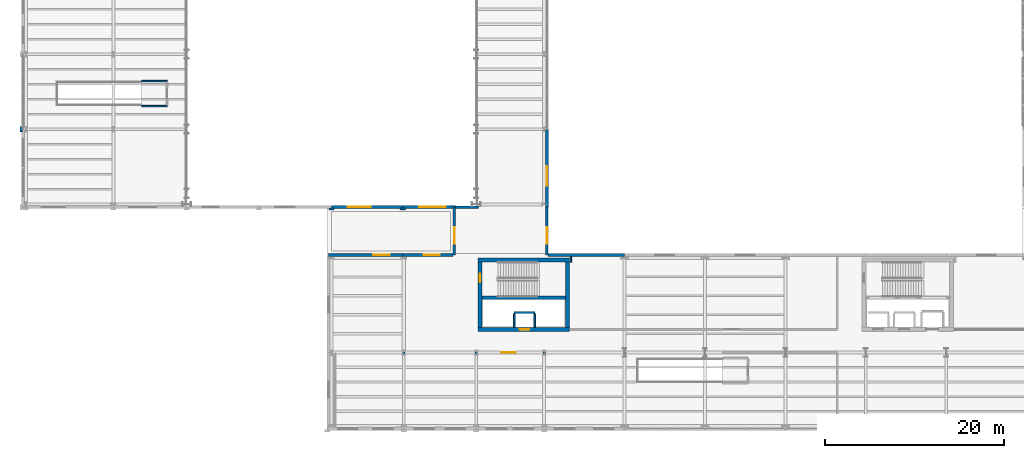
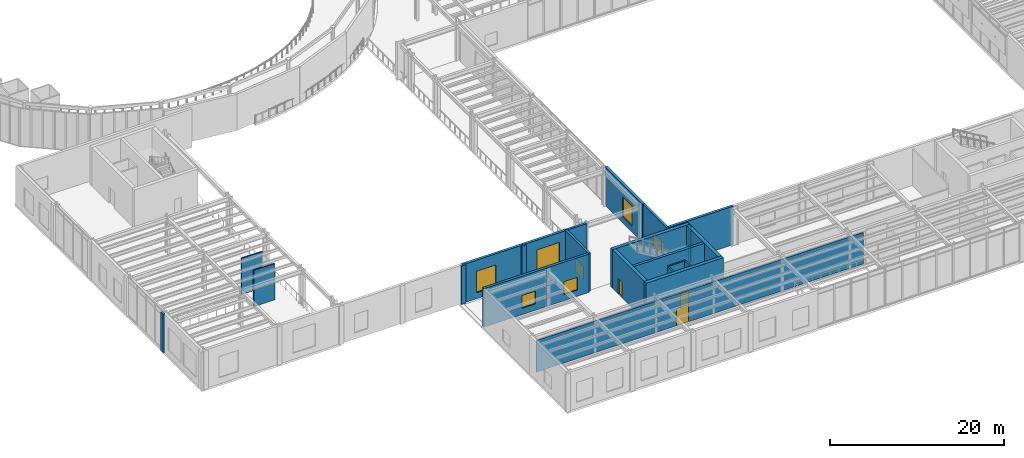
# One storey, part 74 of 98: 24 walls, 7 windows, 3 doors, 10 openings.
"""IFC4 building model written with IfcOpenShell, lengths in metres."""

from ifc_helpers import new_model, si_unit, direction, frame, frame_2d, origin, place, context, subcontext, project, spatial, rectangle, extrude, material, layer, layer_set, type_object, element, fill, save


model = new_model("IFC4")

# Units and contexts
model_context = context("Model", 3, precision=1e-05, world=origin(), true_north=direction((0.0, 1.0)))
body_context = subcontext(model_context, "Body", "Model", "MODEL_VIEW")
ifc_project = project(units=[si_unit("LENGTHUNIT", "METRE"), si_unit("AREAUNIT", "SQUARE_METRE"), si_unit("VOLUMEUNIT", "CUBIC_METRE"), si_unit("PLANEANGLEUNIT", "RADIAN"), si_unit("MASSUNIT", "GRAM", prefix="KILO")], contexts=[model_context])

# Site, building, storey
site_placement = place(None, origin())
site = spatial("IfcSite", under=ifc_project, at=site_placement, CompositionType="ELEMENT")
building_placement = place(site_placement, origin())
building = spatial("IfcBuilding", under=site, at=building_placement, Name="Sollismere Congress Hotel", CompositionType="ELEMENT")
storey_placement = place(building_placement, frame((0.0, 0.0, 5.39990234375)))
storey = spatial("IfcBuildingStorey", under=building, at=storey_placement, Name="L01", CompositionType="ELEMENT", Elevation=5.39990234375)

# Wall, opening, window
ifc_material_1 = material(Name="Colorado Buff Sandstone Rainscreen on Insulated Backup", Category="masonry")
ifc_layer_1 = layer(ifc_material_1, 0.284912109375, Name="Colorado Buff Sandstone Rainscreen on Insulated Backup")
ifc_layer_set_1 = layer_set([ifc_layer_1], Name="Colorado Buff Sandstone Rainscreen on Insulated Backup")
wall_type_1 = type_object("IfcWallType", Name="WL-EXT285", PredefinedType="STANDARD", material=ifc_layer_set_1)
wall_1_placement = place(storey_placement, frame((58.31005859375, 19.110107421875, 0.0), z_axis=(0.0, 0.0, 1.0), x_axis=(0.0, 1.0, 0.0)))
wall_1 = element("IfcWall", 1, at=wall_1_placement, inside=storey, type_object=wall_type_1, Name="Exterior wall EW-L01-139", PredefinedType="STANDARD", context=body_context, shape_type="SweptSolid", body=[
    extrude(rectangle(XDim=5.3798828125, YDim=0.284912109375, at=frame_2d((2.68994140625, 0.0))), origin(), (0.0, 0.0, 1.0), 5.400146484375),
])
opening_1_placement = place(wall_1_placement, frame((1.300048828125, 0.0, 0.89990234375)))
opening_1 = element("IfcOpeningElement", 2, at=opening_1_placement, cuts=wall_1, Name="Opening W-L01-123", PredefinedType="OPENING", context=body_context, shape_type="SweptSolid", body=[
    extrude(rectangle(XDim=1.800048828125, YDim=1.800048828125, at=frame_2d((0.89990234375, 0.89990234375))), frame((0.0, 0.15234375, 0.0), z_axis=(0.0, -1.0, 0.0), x_axis=(1.0, 0.0, 0.0)), (0.0, 0.0, 1.0), 0.304931640625),
])
ifc_material_2 = material(Name="Thermally Broken Bronze Aluminum & Low-E Glass", Category="aluminium")
window_type_1 = type_object("IfcWindowType", Name="WN-P180x180", PartitioningType="SINGLE_PANEL", PredefinedType="WINDOW", material=ifc_material_2)
window_1_placement = place(opening_1_placement, origin())
window_1 = element("IfcWindow", 3, at=window_1_placement, inside=storey, type_object=window_type_1, Name="WIN-W-L01-123", OverallHeight=1.800048828125, OverallWidth=1.800048828125, PartitioningType="SINGLE_PANEL", PredefinedType="WINDOW", context=body_context, shape_type="SweptSolid", body=[
    extrude(rectangle(XDim=1.800048828125, YDim=1.800048828125, at=frame_2d((0.89990234375, 0.89990234375))), frame((0.0, 0.030029296875, 0.0), z_axis=(0.0, -1.0, 0.0), x_axis=(1.0, 0.0, 0.0)), (0.0, 0.0, 1.0), 0.06005859375),
])
fill(opening_1, window_1)

# Wall
wall_2_placement = place(storey_placement, frame((48.080078125, 24.489990234375, 0.0), z_axis=(0.0, 0.0, 1.0), x_axis=(1.0, 0.0, 0.0)))
element("IfcWall", 4, at=wall_2_placement, inside=storey, type_object=wall_type_1, Name="Exterior wall EW-L01-140", PredefinedType="STANDARD", context=body_context, shape_type="SweptSolid", body=[
    extrude(rectangle(XDim=2.56982421875, YDim=0.284912109375, at=frame_2d((1.284912109375, 0.0))), origin(), (0.0, 0.0, 1.0), 5.400146484375),
])

# Wall, opening, window
wall_3_placement = place(storey_placement, frame((47.949951171875, 19.110107421875, 0.0), z_axis=(0.0, 0.0, 1.0), x_axis=(0.0, 1.0, 0.0)))
wall_3 = element("IfcWall", 5, at=wall_3_placement, inside=storey, type_object=wall_type_1, Name="Exterior wall EW-L01-141", PredefinedType="STANDARD", context=body_context, shape_type="SweptSolid", body=[
    extrude(rectangle(XDim=5.3798828125, YDim=0.284912109375, at=frame_2d((2.68994140625, 0.0))), origin(), (0.0, 0.0, 1.0), 5.400146484375),
])
opening_2_placement = place(wall_3_placement, frame((1.300048828125, 0.0, 0.89990234375)))
opening_2 = element("IfcOpeningElement", 6, at=opening_2_placement, cuts=wall_3, Name="Opening W-L01-124", PredefinedType="OPENING", context=body_context, shape_type="SweptSolid", body=[
    extrude(rectangle(XDim=1.800048828125, YDim=1.800048828125, at=frame_2d((0.89990234375, 0.89990234375))), frame((0.0, 0.15234375, 0.0), z_axis=(0.0, -1.0, 0.0), x_axis=(1.0, 0.0, 0.0)), (0.0, 0.0, 1.0), 0.304931640625),
])
window_2_placement = place(opening_2_placement, origin())
window_2 = element("IfcWindow", 7, at=window_2_placement, inside=storey, type_object=window_type_1, Name="WIN-W-L01-124", OverallHeight=1.800048828125, OverallWidth=1.800048828125, PartitioningType="SINGLE_PANEL", PredefinedType="WINDOW", context=body_context, shape_type="SweptSolid", body=[
    extrude(rectangle(XDim=1.800048828125, YDim=1.800048828125, at=frame_2d((0.89990234375, 0.89990234375))), frame((0.0, 0.030029296875, 0.0), z_axis=(0.0, -1.0, 0.0), x_axis=(1.0, 0.0, 0.0)), (0.0, 0.0, 1.0), 0.06005859375),
])
fill(opening_2, window_2)

ifc_material_3 = material(Name="Colorado Buff Sandstone and Limestone Backup C40/50", Category="masonry")
ifc_layer_2 = layer(ifc_material_3, 0.340087890625, Name="Colorado Buff Sandstone and Limestone Backup C40/50")
ifc_layer_set_2 = layer_set([ifc_layer_2], Name="Colorado Buff Sandstone and Limestone Backup C40/50")
wall_type_2 = type_object("IfcWallType", Name="WL-EXT340", PredefinedType="STANDARD", material=ifc_layer_set_2)
wall_4_placement = place(storey_placement, frame((34.199951171875, 24.489990234375, 0.0), z_axis=(0.0, 0.0, 1.0), x_axis=(1.0, 0.0, 0.0)))
wall_4 = element("IfcWall", 8, at=wall_4_placement, inside=storey, type_object=wall_type_2, Name="Exterior wall EW-L01-134", PredefinedType="STANDARD", context=body_context, shape_type="SweptSolid", body=[
    extrude(rectangle(XDim=8.0, YDim=0.340087890625, at=frame_2d((4.0, 0.0))), origin(), (0.0, 0.0, 1.0), 5.400146484375),
])
opening_3_placement = place(wall_4_placement, frame((1.800048828125, 0.0, 0.85009765625)))
opening_3 = element("IfcOpeningElement", 9, at=opening_3_placement, cuts=wall_4, Name="Opening W-L01-120", PredefinedType="OPENING", context=body_context, shape_type="SweptSolid", body=[
    extrude(rectangle(XDim=2.60009765625, YDim=3.0, at=frame_2d((1.300048828125, 1.5))), frame((0.0, 0.179931640625, 0.0), z_axis=(0.0, -1.0, 0.0), x_axis=(1.0, 0.0, 0.0)), (0.0, 0.0, 1.0), 0.360107421875),
])
window_type_2 = type_object("IfcWindowType", Name="WN-A260x300", PartitioningType="SINGLE_PANEL", PredefinedType="WINDOW", material=ifc_material_2)
window_3_placement = place(opening_3_placement, origin())
window_3 = element("IfcWindow", 10, at=window_3_placement, inside=storey, type_object=window_type_2, Name="WIN-W-L01-120", OverallHeight=3.0, OverallWidth=2.60009765625, PartitioningType="SINGLE_PANEL", PredefinedType="WINDOW", context=body_context, shape_type="SweptSolid", body=[
    extrude(rectangle(XDim=2.60009765625, YDim=3.0, at=frame_2d((1.300048828125, 1.5))), frame((0.0, 0.030029296875, 0.0), z_axis=(0.0, -1.0, 0.0), x_axis=(1.0, 0.0, 0.0)), (0.0, 0.0, 1.0), 0.06005859375),
])
fill(opening_3, window_3)

wall_5_placement = place(storey_placement, frame((42.199951171875, 24.489990234375, 0.0), z_axis=(0.0, 0.0, 1.0), x_axis=(1.0, 0.0, 0.0)))
wall_5 = element("IfcWall", 11, at=wall_5_placement, inside=storey, type_object=wall_type_2, Name="Exterior wall EW-L01-136", PredefinedType="STANDARD", context=body_context, shape_type="SweptSolid", body=[
    extrude(rectangle(XDim=5.880126953125, YDim=0.340087890625, at=frame_2d((2.93994140625, 0.0))), origin(), (0.0, 0.0, 1.0), 5.400146484375),
])
opening_4_placement = place(wall_5_placement, frame((1.800048828125, 0.0, 0.85009765625)))
opening_4 = element("IfcOpeningElement", 12, at=opening_4_placement, cuts=wall_5, Name="Opening W-L01-121", PredefinedType="OPENING", context=body_context, shape_type="SweptSolid", body=[
    extrude(rectangle(XDim=3.0, YDim=3.199951171875, at=frame_2d((1.5, 1.60009765625))), frame((0.0, 0.179931640625, 0.0), z_axis=(0.0, -1.0, 0.0), x_axis=(1.0, 0.0, 0.0)), (0.0, 0.0, 1.0), 0.360107421875),
])
window_type_3 = type_object("IfcWindowType", Name="WN-A300x320", PartitioningType="SINGLE_PANEL", PredefinedType="WINDOW", material=ifc_material_2)
window_4_placement = place(opening_4_placement, origin())
window_4 = element("IfcWindow", 13, at=window_4_placement, inside=storey, type_object=window_type_3, Name="WIN-W-L01-121", OverallHeight=3.199951171875, OverallWidth=3.0, PartitioningType="SINGLE_PANEL", PredefinedType="WINDOW", context=body_context, shape_type="SweptSolid", body=[
    extrude(rectangle(XDim=3.0, YDim=3.199951171875, at=frame_2d((1.5, 1.60009765625))), frame((0.0, 0.030029296875, 0.0), z_axis=(0.0, -1.0, 0.0), x_axis=(1.0, 0.0, 0.0)), (0.0, 0.0, 1.0), 0.06005859375),
])
fill(opening_4, window_4)

wall_6_placement = place(storey_placement, frame((58.31005859375, 24.489990234375, 0.0), z_axis=(0.0, 0.0, 1.0), x_axis=(0.0, 1.0, 0.0)))
wall_6 = element("IfcWall", 14, at=wall_6_placement, inside=storey, type_object=wall_type_2, Name="Exterior wall EW-L01-142", PredefinedType="STANDARD", context=body_context, shape_type="SweptSolid", body=[
    extrude(rectangle(XDim=8.7099609375, YDim=0.340087890625, at=frame_2d((4.35498046875, 0.0))), origin(), (0.0, 0.0, 1.0), 5.400146484375),
])
opening_5_placement = place(wall_6_placement, frame((2.39990234375, 0.0, 0.85009765625)))
opening_5 = element("IfcOpeningElement", 15, at=opening_5_placement, cuts=wall_6, Name="Opening W-L01-125", PredefinedType="OPENING", context=body_context, shape_type="SweptSolid", body=[
    extrude(rectangle(XDim=2.199951171875, YDim=2.800048828125, at=frame_2d((1.10009765625, 1.39990234375))), frame((0.0, 0.179931640625, 0.0), z_axis=(0.0, -1.0, 0.0), x_axis=(1.0, 0.0, 0.0)), (0.0, 0.0, 1.0), 0.360107421875),
])
window_type_4 = type_object("IfcWindowType", Name="WN-A220x280", PartitioningType="SINGLE_PANEL", PredefinedType="WINDOW", material=ifc_material_2)
window_5_placement = place(opening_5_placement, origin())
window_5 = element("IfcWindow", 16, at=window_5_placement, inside=storey, type_object=window_type_4, Name="WIN-W-L01-125", OverallHeight=2.800048828125, OverallWidth=2.199951171875, PartitioningType="SINGLE_PANEL", PredefinedType="WINDOW", context=body_context, shape_type="SweptSolid", body=[
    extrude(rectangle(XDim=2.199951171875, YDim=2.800048828125, at=frame_2d((1.10009765625, 1.39990234375))), frame((0.0, 0.030029296875, 0.0), z_axis=(0.0, -1.0, 0.0), x_axis=(1.0, 0.0, 0.0)), (0.0, 0.0, 1.0), 0.06005859375),
])
fill(opening_5, window_5)

# Wall
wall_7_placement = place(storey_placement, frame((67.0, 19.110107421875, 0.0), z_axis=(0.0, 0.0, 1.0), x_axis=(-1.0, 0.0, 0.0)))
element("IfcWall", 17, at=wall_7_placement, inside=storey, type_object=wall_type_2, Name="Exterior wall EW-L01-311", PredefinedType="STANDARD", context=body_context, shape_type="SweptSolid", body=[
    extrude(rectangle(XDim=8.54541015625, YDim=0.340087890625, at=frame_2d((4.272705078125, 0.0))), origin(), (0.0, 0.0, 1.0), 5.400146484375),
])

# Wall, opening, window
wall_8_placement = place(storey_placement, frame((42.199951171875, 19.110107421875, 0.0), z_axis=(0.0, 0.0, 1.0), x_axis=(-1.0, 0.0, 0.0)))
wall_8 = element("IfcWall", 18, at=wall_8_placement, inside=storey, type_object=wall_type_2, Name="Exterior wall EW-L01-320", PredefinedType="STANDARD", context=body_context, shape_type="SweptSolid", body=[
    extrude(rectangle(XDim=8.31005859375, YDim=0.340087890625, at=frame_2d((4.155029296875, 0.0))), origin(), (0.0, 0.0, 1.0), 5.400146484375),
])
opening_6_placement = place(wall_8_placement, frame((1.5, 0.0, 0.8798828125)))
opening_6 = element("IfcOpeningElement", 19, at=opening_6_placement, cuts=wall_8, Name="Opening W-L01-255", PredefinedType="OPENING", context=body_context, shape_type="SweptSolid", body=[
    extrude(rectangle(XDim=1.800048828125, YDim=1.800048828125, at=frame_2d((0.89990234375, 0.89990234375))), frame((0.0, 0.179931640625, 0.0), z_axis=(0.0, -1.0, 0.0), x_axis=(1.0, 0.0, 0.0)), (0.0, 0.0, 1.0), 0.360107421875),
])
window_6_placement = place(opening_6_placement, origin())
window_6 = element("IfcWindow", 20, at=window_6_placement, inside=storey, type_object=window_type_1, Name="WIN-W-L01-255", OverallHeight=1.800048828125, OverallWidth=1.800048828125, PartitioningType="SINGLE_PANEL", PredefinedType="WINDOW", context=body_context, shape_type="SweptSolid", body=[
    extrude(rectangle(XDim=1.800048828125, YDim=1.800048828125, at=frame_2d((0.89990234375, 0.89990234375))), frame((0.0, 0.030029296875, 0.0), z_axis=(0.0, -1.0, 0.0), x_axis=(1.0, 0.0, 0.0)), (0.0, 0.0, 1.0), 0.06005859375),
])
fill(opening_6, window_6)

wall_9_placement = place(storey_placement, frame((47.805419921875, 19.110107421875, 0.0), z_axis=(0.0, 0.0, 1.0), x_axis=(-1.0, 0.0, 0.0)))
wall_9 = element("IfcWall", 21, at=wall_9_placement, inside=storey, type_object=wall_type_2, Name="Exterior wall EW-L01-321", PredefinedType="STANDARD", context=body_context, shape_type="SweptSolid", body=[
    extrude(rectangle(XDim=5.60546875, YDim=0.340087890625, at=frame_2d((2.802734375, 0.0))), origin(), (0.0, 0.0, 1.0), 5.400146484375),
])
opening_7_placement = place(wall_9_placement, frame((1.5, 0.0, 0.8798828125)))
opening_7 = element("IfcOpeningElement", 22, at=opening_7_placement, cuts=wall_9, Name="Opening W-L01-256", PredefinedType="OPENING", context=body_context, shape_type="SweptSolid", body=[
    extrude(rectangle(XDim=1.800048828125, YDim=1.800048828125, at=frame_2d((0.89990234375, 0.89990234375))), frame((0.0, 0.179931640625, 0.0), z_axis=(0.0, -1.0, 0.0), x_axis=(1.0, 0.0, 0.0)), (0.0, 0.0, 1.0), 0.360107421875),
])
window_7_placement = place(opening_7_placement, origin())
window_7 = element("IfcWindow", 23, at=window_7_placement, inside=storey, type_object=window_type_1, Name="WIN-W-L01-256", OverallHeight=1.800048828125, OverallWidth=1.800048828125, PartitioningType="SINGLE_PANEL", PredefinedType="WINDOW", context=body_context, shape_type="SweptSolid", body=[
    extrude(rectangle(XDim=1.800048828125, YDim=1.800048828125, at=frame_2d((0.89990234375, 0.89990234375))), frame((0.0, 0.030029296875, 0.0), z_axis=(0.0, -1.0, 0.0), x_axis=(1.0, 0.0, 0.0)), (0.0, 0.0, 1.0), 0.06005859375),
])
fill(opening_7, window_7)

# Walls
ifc_material_4 = material(Name="Carved Travertine Pilaster & Frieze Assembly", Category="masonry")
ifc_layer_3 = layer(ifc_material_4, 0.260009765625, Name="Carved Travertine Pilaster & Frieze Assembly")
ifc_layer_set_3 = layer_set([ifc_layer_3], Name="Carved Travertine Pilaster & Frieze Assembly")
wall_type_3 = type_object("IfcWallType", Name="WL-PIL280", PredefinedType="ELEMENTEDWALL", material=ifc_layer_set_3)
for number, where, z_axis, x_axis, name in (
    (24, (-0.52001953125, 32.89990234375, 0.0), (0.0, 0.0, 1.0), (0.0, 1.0, 0.0), "Exterior wall EW-L01-120"),
    (25, (33.89990234375, 24.280029296875, 0.0), (0.0, 0.0, 1.0), (1.0, 0.0, 0.0), "Exterior wall EW-L01-135"),
    (26, (41.89990234375, 24.280029296875, 0.0), (0.0, 0.0, 1.0), (1.0, 0.0, 0.0), "Exterior wall EW-L01-137"),
):
    element("IfcWall", number, at=place(storey_placement, frame(where, z_axis=z_axis, x_axis=x_axis)), inside=storey, type_object=wall_type_3, Name=name, PredefinedType="ELEMENTEDWALL", context=body_context, shape_type="SweptSolid", body=[
        extrude(rectangle(XDim=0.60009765625, YDim=0.260009765625, at=frame_2d((0.300048828125, 0.0))), origin(), (0.0, 0.0, 1.0), 5.400146484375),
    ])
ifc_material_5 = material(Name="Moisture-Resistant Shaft Gypsum Assembly")
ifc_layer_4 = layer(ifc_material_5, 0.199951171875, Name="Moisture-Resistant Shaft Gypsum Assembly")
ifc_layer_set_4 = layer_set([ifc_layer_4], Name="Moisture-Resistant Shaft Gypsum Assembly")
wall_type_4 = type_object("IfcWallType", Name="WL-PLM200", PredefinedType="PLUMBINGWALL", material=ifc_layer_set_4)
wall_10_placement = place(storey_placement, frame((54.655029296875, 12.68994140625, 0.0), z_axis=(0.0, 0.0, 1.0), x_axis=(1.0, 0.0, 0.0)))
element("IfcWall", 27, at=wall_10_placement, inside=storey, type_object=wall_type_4, Name="Interior wall IW-L01-0692", PredefinedType="PLUMBINGWALL", context=body_context, shape_type="SweptSolid", body=[
    extrude(rectangle(XDim=2.2900390625, YDim=0.199951171875, at=frame_2d((1.14501953125, 0.0))), origin(), (0.0, 0.0, 1.0), 5.09521484375),
])
for number, where, z_axis, x_axis, name in (
    (28, (54.655029296875, 11.037109375, 0.0), (0.0, 0.0, 1.0), (0.0, 1.0, 0.0), "Interior wall IW-L01-0693"),
    (29, (56.945068359375, 11.037109375, 0.0), (0.0, 0.0, 1.0), (0.0, 1.0, 0.0), "Interior wall IW-L01-0694"),
):
    element("IfcWall", number, at=place(storey_placement, frame(where, z_axis=z_axis, x_axis=x_axis)), inside=storey, type_object=wall_type_4, Name=name, PredefinedType="PLUMBINGWALL", context=body_context, shape_type="SweptSolid", body=[
        extrude(rectangle(XDim=1.540771484375, YDim=0.199951171875, at=frame_2d((0.7705078125, 0.0))), origin(), (0.0, 0.0, 1.0), 5.09521484375),
    ])

# Wall, opening, door
ifc_material_6 = material(Name="Fire-Rated Gypsum Partition")
ifc_layer_5 = layer(ifc_material_6, 0.139892578125, Name="Fire-Rated Gypsum Partition")
ifc_layer_set_5 = layer_set([ifc_layer_5], Name="Fire-Rated Gypsum Partition")
wall_type_5 = type_object("IfcWallType", Name="WL-PRT140R", PredefinedType="PARTITIONING", material=ifc_layer_set_5)
wall_11_placement = place(storey_placement, frame((34.60009765625, 8.199951171875, 0.0), z_axis=(0.0, 0.0, 1.0), x_axis=(1.0, 0.0, 0.0)))
wall_11 = element("IfcWall", 30, at=wall_11_placement, inside=storey, type_object=wall_type_5, Name="Interior wall IW-L01-0845", PredefinedType="PARTITIONING", context=body_context, shape_type="SweptSolid", body=[
    extrude(rectangle(XDim=43.39990234375, YDim=0.139892578125, at=frame_2d((21.699951171875, 0.0))), origin(), (0.0, 0.0, 1.0), 4.424072265625),
])
opening_8_placement = place(wall_11_placement, frame((18.60009765625, 0.0, 0.0)))
opening_8 = element("IfcOpeningElement", 31, at=opening_8_placement, cuts=wall_11, Name="Opening D-L01-0295", PredefinedType="OPENING", context=body_context, shape_type="SweptSolid", body=[
    extrude(rectangle(XDim=1.60009765625, YDim=2.39990234375, at=frame_2d((0.800048828125, 1.199951171875))), frame((0.0, 0.079833984375, 0.0), z_axis=(0.0, -1.0, 0.0), x_axis=(1.0, 0.0, 0.0)), (0.0, 0.0, 1.0), 0.159912109375),
])
ifc_material_7 = material(Name="Acoustic Oak Double Meeting Door")
door_type_1 = type_object("IfcDoorType", Name="DR-MT160", OperationType="NOTDEFINED", PredefinedType="DOOR", material=ifc_material_7)
door_1_placement = place(opening_8_placement, origin())
door_1 = element("IfcDoor", 32, at=door_1_placement, inside=storey, type_object=door_type_1, Name="Interior door D-L01-0295", OperationType="DOUBLE_DOOR_SINGLE_SWING", OverallHeight=2.39990234375, OverallWidth=1.60009765625, PredefinedType="DOOR", context=body_context, shape_type="SweptSolid", body=[
    extrude(rectangle(XDim=1.60009765625, YDim=2.39990234375, at=frame_2d((0.800048828125, 1.199951171875))), frame((0.0, 0.02490234375, 0.0), z_axis=(0.0, -1.0, 0.0), x_axis=(1.0, 0.0, 0.0)), (0.0, 0.0, 1.0), 0.050048828125),
])
fill(opening_8, door_1)

# Walls
ifc_material_8 = material(Name="Fire-Rated Acoustic Gypsum Partition")
ifc_layer_6 = layer(ifc_material_8, 0.1650390625, Name="Fire-Rated Acoustic Gypsum Partition")
ifc_layer_set_6 = layer_set([ifc_layer_6], Name="Fire-Rated Acoustic Gypsum Partition")
wall_type_6 = type_object("IfcWallType", Name="WL-PRT165R", PredefinedType="PARTITIONING", material=ifc_layer_set_6)
for number, where, z_axis, x_axis, name in (
    (33, (13.0, 35.800048828125, 0.0), (0.0, 0.0, 1.0), (1.0, 0.0, 0.0), "Interior wall IW-L01-0852"),
    (34, (13.0, 38.60009765625, 0.0), (0.0, 0.0, 1.0), (1.0, 0.0, 0.0), "Interior wall IW-L01-0853"),
):
    element("IfcWall", number, at=place(storey_placement, frame(where, z_axis=z_axis, x_axis=x_axis)), inside=storey, type_object=wall_type_6, Name=name, PredefinedType="PARTITIONING", context=body_context, shape_type="SweptSolid", body=[
        extrude(rectangle(XDim=2.800048828125, YDim=0.1650390625, at=frame_2d((1.39990234375, 0.0))), origin(), (0.0, 0.0, 1.0), 5.09521484375),
    ])
wall_12_placement = place(storey_placement, frame((61.0, 18.324951171875, 0.0), z_axis=(0.0, 0.0, 1.0), x_axis=(0.0, 1.0, 0.0)))
element("IfcWall", 35, at=wall_12_placement, inside=storey, type_object=wall_type_6, Name="Interior wall IW-L01-0909", PredefinedType="PARTITIONING", context=body_context, shape_type="SweptSolid", body=[
    extrude(rectangle(XDim=0.60009765625, YDim=0.1650390625, at=frame_2d((0.300048828125, 0.0))), origin(), (0.0, 0.0, 1.0), 5.09521484375),
])
ifc_material_9 = material(Name="Concrete C50/60", Category="concrete")
ifc_layer_7 = layer(ifc_material_9, 0.35009765625, Name="Concrete C50/60")
ifc_layer_set_7 = layer_set([ifc_layer_7], Name="Concrete C50/60")
wall_type_7 = type_object("IfcWallType", Name="WL-SHR350", PredefinedType="SHEAR", material=ifc_layer_set_7)
wall_13_placement = place(storey_placement, frame((51.02490234375, 14.35009765625, 0.0), z_axis=(0.0, 0.0, 1.0), x_axis=(1.0, 0.0, 0.0)))
element("IfcWall", 36, at=wall_13_placement, inside=storey, type_object=wall_type_7, Name="Interior wall IW-L01-0691", PredefinedType="SHEAR", context=body_context, shape_type="SweptSolid", body=[
    extrude(rectangle(XDim=9.35009765625, YDim=0.35009765625, at=frame_2d((4.675048828125, 0.0))), origin(), (0.0, 0.0, 1.0), 5.400146484375),
])

# Wall, opening, door
ifc_layer_8 = layer(ifc_material_9, 0.449951171875, Name="Concrete C50/60")
ifc_layer_set_8 = layer_set([ifc_layer_8], Name="Concrete C50/60")
wall_type_8 = type_object("IfcWallType", Name="WL-SHR450", PredefinedType="SHEAR", material=ifc_layer_set_8)
wall_14_placement = place(storey_placement, frame((50.574951171875, 10.800048828125, 0.0), z_axis=(0.0, 0.0, 1.0), x_axis=(1.0, 0.0, 0.0)))
wall_14 = element("IfcWall", 37, at=wall_14_placement, inside=storey, type_object=wall_type_8, Name="Interior wall IW-L01-0687", PredefinedType="SHEAR", context=body_context, shape_type="SweptSolid", body=[
    extrude(rectangle(XDim=10.25, YDim=0.449951171875, at=frame_2d((5.125, 0.0))), origin(), (0.0, 0.0, 1.0), 5.400146484375),
])
opening_9_placement = place(wall_14_placement, frame((4.675048828125, 0.0, 0.0)))
opening_9 = element("IfcOpeningElement", 38, at=opening_9_placement, cuts=wall_14, Name="Opening LD-LP-09-L01", PredefinedType="OPENING", context=body_context, shape_type="SweptSolid", body=[
    extrude(rectangle(XDim=1.10009765625, YDim=2.199951171875, at=frame_2d((0.550048828125, 1.10009765625))), frame((0.0, 0.23486328125, 0.0), z_axis=(0.0, -1.0, 0.0), x_axis=(1.0, 0.0, 0.0)), (0.0, 0.0, 1.0), 0.469970703125),
])
ifc_material_10 = material(Name="Brushed Bronze Sliding Elevator Landing Door")
door_type_2 = type_object("IfcDoorType", Name="DR-LD110", OperationType="NOTDEFINED", PredefinedType="DOOR", material=ifc_material_10)
door_2_placement = place(opening_9_placement, origin())
door_2 = element("IfcDoor", 39, at=door_2_placement, inside=storey, type_object=door_type_2, Name="Elevator landing door LD-LP-09-L01", OperationType="SLIDING_TO_LEFT", OverallHeight=2.199951171875, OverallWidth=1.10009765625, PredefinedType="DOOR", context=body_context, shape_type="SweptSolid", body=[
    extrude(rectangle(XDim=1.10009765625, YDim=2.199951171875, at=frame_2d((0.550048828125, 1.10009765625))), frame((0.0, 0.02490234375, 0.0), z_axis=(0.0, -1.0, 0.0), x_axis=(1.0, 0.0, 0.0)), (0.0, 0.0, 1.0), 0.050048828125),
])
fill(opening_9, door_2)

# Wall
wall_15_placement = place(storey_placement, frame((60.824951171875, 18.550048828125, 0.0), z_axis=(0.0, 0.0, 1.0), x_axis=(-1.0, 0.0, 0.0)))
element("IfcWall", 40, at=wall_15_placement, inside=storey, type_object=wall_type_8, Name="Interior wall IW-L01-0688", PredefinedType="SHEAR", context=body_context, shape_type="SweptSolid", body=[
    extrude(rectangle(XDim=10.25, YDim=0.449951171875, at=frame_2d((5.125, 0.0))), origin(), (0.0, 0.0, 1.0), 5.400146484375),
])

# Wall, opening, door
wall_16_placement = place(storey_placement, frame((50.800048828125, 18.324951171875, 0.0), z_axis=(0.0, 0.0, 1.0), x_axis=(0.0, -1.0, 0.0)))
wall_16 = element("IfcWall", 41, at=wall_16_placement, inside=storey, type_object=wall_type_8, Name="Interior wall IW-L01-0689", PredefinedType="SHEAR", context=body_context, shape_type="SweptSolid", body=[
    extrude(rectangle(XDim=7.300048828125, YDim=0.449951171875, at=frame_2d((3.64990234375, 0.0))), origin(), (0.0, 0.0, 1.0), 5.400146484375),
])
opening_10_placement = place(wall_16_placement, frame((1.27490234375, 0.0, 0.0)))
opening_10 = element("IfcOpeningElement", 42, at=opening_10_placement, cuts=wall_16, Name="Opening D-ST-06-L01", PredefinedType="OPENING", context=body_context, shape_type="SweptSolid", body=[
    extrude(rectangle(XDim=0.949951171875, YDim=2.199951171875, at=frame_2d((0.47509765625, 1.10009765625))), frame((0.0, 0.23486328125, 0.0), z_axis=(0.0, -1.0, 0.0), x_axis=(1.0, 0.0, 0.0)), (0.0, 0.0, 1.0), 0.469970703125),
])
ifc_material_11 = material(Name="Fire-Rated Insulated Steel Door", Category="steel")
door_type_3 = type_object("IfcDoorType", Name="DR-FD90", OperationType="NOTDEFINED", PredefinedType="DOOR", material=ifc_material_11)
door_3_placement = place(opening_10_placement, origin())
door_3 = element("IfcDoor", 43, at=door_3_placement, inside=storey, type_object=door_type_3, Name="Exit stair fire door D-ST-06-L01", OperationType="SINGLE_SWING_RIGHT", OverallHeight=2.199951171875, OverallWidth=0.949951171875, PredefinedType="DOOR", context=body_context, shape_type="SweptSolid", body=[
    extrude(rectangle(XDim=0.949951171875, YDim=2.199951171875, at=frame_2d((0.47509765625, 1.10009765625))), frame((0.0, 0.02490234375, 0.0), z_axis=(0.0, -1.0, 0.0), x_axis=(1.0, 0.0, 0.0)), (0.0, 0.0, 1.0), 0.050048828125),
])
fill(opening_10, door_3)

# Wall
wall_17_placement = place(storey_placement, frame((60.60009765625, 11.02490234375, 0.0), z_axis=(0.0, 0.0, 1.0), x_axis=(0.0, 1.0, 0.0)))
element("IfcWall", 44, at=wall_17_placement, inside=storey, type_object=wall_type_8, Name="Interior wall IW-L01-0690", PredefinedType="SHEAR", context=body_context, shape_type="SweptSolid", body=[
    extrude(rectangle(XDim=7.300048828125, YDim=0.449951171875, at=frame_2d((3.64990234375, 0.0))), origin(), (0.0, 0.0, 1.0), 5.400146484375),
])

save(model, "model.ifc")
